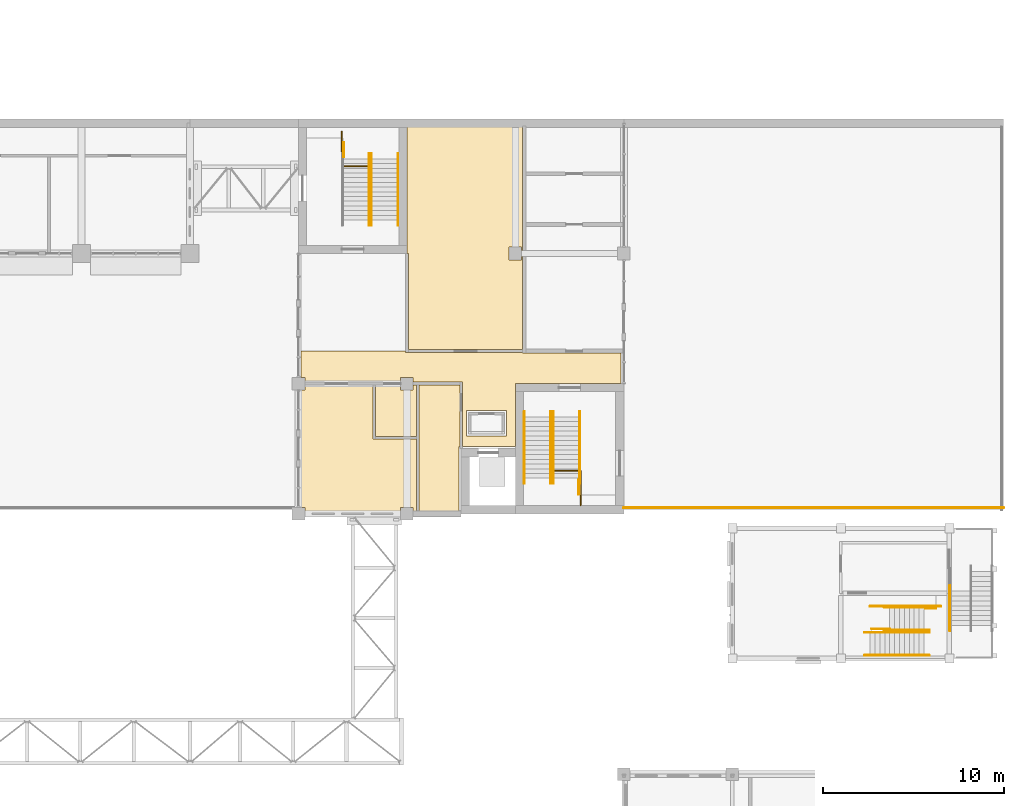
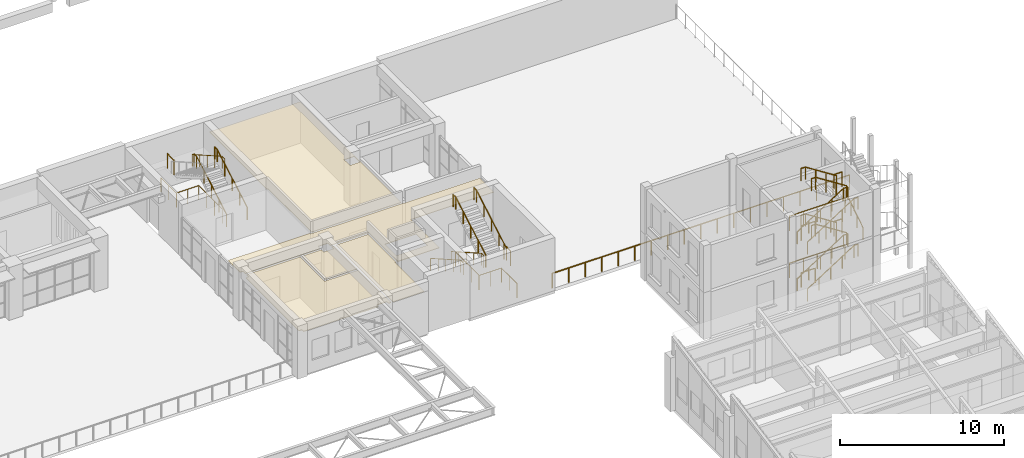
# One storey, part 101 of 103: 27 railings, 5 coverings.
"""IFC4 building model written with IfcOpenShell, lengths in metres."""

from ifc_helpers import new_model, si_unit, direction, frame, origin, origin_2d, place, context, subcontext, project, spatial, polyline, circle, outline, extrude, material, layer, layer_set, type_object, element, save


model = new_model("IFC4")

# Units and contexts
model_context = context("Model", 3, precision=1e-05, world=origin(), true_north=direction((0.0, 1.0)))
body_context = subcontext(model_context, "Body", "Model", "MODEL_VIEW")
ifc_project = project(units=[si_unit("LENGTHUNIT", "METRE"), si_unit("AREAUNIT", "SQUARE_METRE"), si_unit("VOLUMEUNIT", "CUBIC_METRE"), si_unit("PLANEANGLEUNIT", "RADIAN"), si_unit("MASSUNIT", "GRAM", prefix="KILO")], contexts=[model_context])

# Site, building, storey
site_placement = place(None, origin())
site = spatial("IfcSite", under=ifc_project, at=site_placement, CompositionType="ELEMENT")
building_placement = place(site_placement, origin())
building = spatial("IfcBuilding", under=site, at=building_placement, Name="Laocheng Heights Fire and Rescue Headquarters", CompositionType="ELEMENT")
storey_placement = place(building_placement, frame((0.0, 0.0, 4.199951171875)))
storey = spatial("IfcBuildingStorey", under=building, at=storey_placement, Name="L01", CompositionType="ELEMENT", Elevation=4.199951171875)

# Railings
ifc_material_1 = material(Name="Steel Q355B", Category="steel")
railing_type_1 = type_object("IfcRailingType", Name="STAIR GUARD 1100", PredefinedType="GUARDRAIL", material=ifc_material_1)
railing_1_placement = place(storey_placement, frame((105.60498046875, 36.469970703125, 0.0)))
element("IfcRailing", 1, at=railing_1_placement, inside=storey, type_object=railing_type_1, Name="Stair C1 guard L01 under the half landing", PredefinedType="GUARDRAIL", context=body_context, shape_type="SweptSolid", body=[
    extrude(circle(Radius=0.02392578125, at=origin_2d()), frame((0.0, 0.0, 1.076171875), z_axis=(0.0, 1.0, 0.0), x_axis=(-1.0, 0.0, 0.0)), (0.0, 0.0, 1.0), 1.900146484375),
    extrude(circle(Radius=0.02392578125, at=origin_2d()), frame((0.0, 1.900146484375, 1.076171875), z_axis=(-1.0, 0.0, 0.0), x_axis=(0.0, -1.0, 0.0)), (0.0, 0.0, 1.0), 1.580078125),
    extrude(circle(Radius=0.02392578125, at=origin_2d()), frame((-1.580078125, 1.900146484375, 1.076171875), z_axis=(0.0, 1.0, 0.0), x_axis=(-1.0, 0.0, 0.0)), (0.0, 0.0, 1.0), 2.8798828125),
    extrude(circle(Radius=0.02099609375, at=origin_2d()), origin(), (0.0, 0.0, 1.0), 1.052001953125),
    extrude(circle(Radius=0.02099609375, at=origin_2d()), frame((0.0, 0.9501953125, 0.0)), (0.0, 0.0, 1.0), 1.052001953125),
    extrude(circle(Radius=0.02099609375, at=origin_2d()), frame((0.0, 1.900146484375, 0.0)), (0.0, 0.0, 1.0), 1.052001953125),
    extrude(circle(Radius=0.02099609375, at=origin_2d()), frame((-0.7900390625, 1.900146484375, 0.0)), (0.0, 0.0, 1.0), 1.052001953125),
    extrude(circle(Radius=0.02099609375, at=origin_2d()), frame((-1.580078125, 1.900146484375, 0.0)), (0.0, 0.0, 1.0), 1.052001953125),
    extrude(circle(Radius=0.02099609375, at=origin_2d()), frame((-1.580078125, 2.860107421875, 0.0)), (0.0, 0.0, 1.0), 1.052001953125),
    extrude(circle(Radius=0.02099609375, at=origin_2d()), frame((-1.580078125, 3.820068359375, 0.0)), (0.0, 0.0, 1.0), 1.052001953125),
    extrude(circle(Radius=0.02099609375, at=origin_2d()), frame((-1.580078125, 4.780029296875, 0.0)), (0.0, 0.0, 1.0), 1.052001953125),
])
railing_2_placement = place(storey_placement, frame((105.4951171875, 37.070068359375, 2.10009765625)))
element("IfcRailing", 2, at=railing_2_placement, inside=storey, type_object=railing_type_1, Name="Stair C1 guard L01 half landing", PredefinedType="GUARDRAIL", context=body_context, shape_type="SweptSolid", body=[
    extrude(circle(Radius=0.02392578125, at=origin_2d()), frame((0.0, 0.0, 1.076171875), z_axis=(0.0, 1.0, 0.0), x_axis=(-1.0, 0.0, 0.0)), (0.0, 0.0, 1.0), 0.800048828125),
    extrude(circle(Radius=0.02099609375, at=origin_2d()), origin(), (0.0, 0.0, 1.0), 1.052001953125),
    extrude(circle(Radius=0.02099609375, at=origin_2d()), frame((0.0, 0.800048828125, 0.0)), (0.0, 0.0, 1.0), 1.052001953125),
])
railing_3_placement = place(storey_placement, frame((92.39501953125, 57.1298828125, 0.0)))
element("IfcRailing", 3, at=railing_3_placement, inside=storey, type_object=railing_type_1, Name="Stair C2 guard L01 under the half landing", PredefinedType="GUARDRAIL", context=body_context, shape_type="SweptSolid", body=[
    extrude(circle(Radius=0.02392578125, at=origin_2d()), frame((0.0, 0.0, 1.076171875), z_axis=(0.0, -1.0, 0.0), x_axis=(1.0, 0.0, 0.0)), (0.0, 0.0, 1.0), 1.900146484375),
    extrude(circle(Radius=0.02392578125, at=origin_2d()), frame((0.0, -1.900146484375, 1.076171875), z_axis=(1.0, 0.0, 0.0), x_axis=(0.0, 1.0, 0.0)), (0.0, 0.0, 1.0), 1.580078125),
    extrude(circle(Radius=0.02392578125, at=origin_2d()), frame((1.580078125, -1.900146484375, 1.076171875), z_axis=(0.0, -1.0, 0.0), x_axis=(1.0, 0.0, 0.0)), (0.0, 0.0, 1.0), 2.879638671875),
    extrude(circle(Radius=0.02099609375, at=origin_2d()), origin(), (0.0, 0.0, 1.0), 1.052001953125),
    extrude(circle(Radius=0.02099609375, at=origin_2d()), frame((0.0, -0.9501953125, 0.0)), (0.0, 0.0, 1.0), 1.052001953125),
    extrude(circle(Radius=0.02099609375, at=origin_2d()), frame((0.0, -1.900146484375, 0.0)), (0.0, 0.0, 1.0), 1.052001953125),
    extrude(circle(Radius=0.02099609375, at=origin_2d()), frame((0.7900390625, -1.900146484375, 0.0)), (0.0, 0.0, 1.0), 1.052001953125),
    extrude(circle(Radius=0.02099609375, at=origin_2d()), frame((1.580078125, -1.900146484375, 0.0)), (0.0, 0.0, 1.0), 1.052001953125),
    extrude(circle(Radius=0.02099609375, at=origin_2d()), frame((1.580078125, -2.860107421875, 0.0)), (0.0, 0.0, 1.0), 1.052001953125),
    extrude(circle(Radius=0.02099609375, at=origin_2d()), frame((1.580078125, -3.81982421875, 0.0)), (0.0, 0.0, 1.0), 1.052001953125),
    extrude(circle(Radius=0.02099609375, at=origin_2d()), frame((1.580078125, -4.77978515625, 0.0)), (0.0, 0.0, 1.0), 1.052001953125),
])
railing_4_placement = place(storey_placement, frame((92.5048828125, 56.530029296875, 2.10009765625)))
element("IfcRailing", 4, at=railing_4_placement, inside=storey, type_object=railing_type_1, Name="Stair C2 guard L01 half landing", PredefinedType="GUARDRAIL", context=body_context, shape_type="SweptSolid", body=[
    extrude(circle(Radius=0.02392578125, at=origin_2d()), frame((0.0, 0.0, 1.076171875), z_axis=(0.0, -1.0, 0.0), x_axis=(1.0, 0.0, 0.0)), (0.0, 0.0, 1.0), 0.800048828125),
    extrude(circle(Radius=0.02099609375, at=origin_2d()), origin(), (0.0, 0.0, 1.0), 1.052001953125),
    extrude(circle(Radius=0.02099609375, at=origin_2d()), frame((0.0, -0.800048828125, 0.0)), (0.0, 0.0, 1.0), 1.052001953125),
])
railing_5_placement = place(storey_placement, frame((122.705078125, 29.6298828125, -0.699951171875)))
element("IfcRailing", 5, at=railing_5_placement, inside=storey, type_object=railing_type_1, Name="Stair T1 guard F2 well edge", PredefinedType="GUARDRAIL", context=body_context, shape_type="SweptSolid", body=[
    extrude(circle(Radius=0.02392578125, at=origin_2d()), frame((0.0, 0.0, 1.076171875), z_axis=(-1.0, 0.0, 0.0), x_axis=(0.0, -1.0, 0.0)), (0.0, 0.0, 1.0), 0.988037109375),
    extrude(circle(Radius=0.02099609375, at=origin_2d()), origin(), (0.0, 0.0, 1.0), 1.052001953125),
    extrude(circle(Radius=0.02099609375, at=origin_2d()), frame((-0.988037109375, 0.0, 0.0)), (0.0, 0.0, 1.0), 1.052001953125),
])
railing_6_placement = place(storey_placement, frame((125.530029296875, 30.8798828125, -0.699951171875)))
element("IfcRailing", 6, at=railing_6_placement, inside=storey, type_object=railing_type_1, Name="Stair T1 guard F2 strip edge", PredefinedType="GUARDRAIL", context=body_context, shape_type="SweptSolid", body=[
    extrude(circle(Radius=0.02392578125, at=origin_2d()), frame((0.0, 0.0, 1.076171875), z_axis=(-1.0, 0.0, 0.0), x_axis=(0.0, -1.0, 0.0)), (0.0, 0.0, 1.0), 3.905029296875),
    extrude(circle(Radius=0.02099609375, at=origin_2d()), origin(), (0.0, 0.0, 1.0), 1.052001953125),
    extrude(circle(Radius=0.02099609375, at=origin_2d()), frame((-0.976318359375, 0.0, 0.0)), (0.0, 0.0, 1.0), 1.052001953125),
    extrude(circle(Radius=0.02099609375, at=origin_2d()), frame((-1.95263671875, 0.0, 0.0)), (0.0, 0.0, 1.0), 1.052001953125),
    extrude(circle(Radius=0.02099609375, at=origin_2d()), frame((-2.9287109375, 0.0, 0.0)), (0.0, 0.0, 1.0), 1.052001953125),
    extrude(circle(Radius=0.02099609375, at=origin_2d()), frame((-3.905029296875, 0.0, 0.0)), (0.0, 0.0, 1.0), 1.052001953125),
])
railing_7_placement = place(storey_placement, frame((125.2548828125, 30.77001953125, 1.400146484375)))
element("IfcRailing", 7, at=railing_7_placement, inside=storey, type_object=railing_type_1, Name="Stair T1 guard F2 half landing", PredefinedType="GUARDRAIL", context=body_context, shape_type="SweptSolid", body=[
    extrude(circle(Radius=0.02392578125, at=origin_2d()), frame((0.0, 0.0, 1.076171875), z_axis=(-1.0, 0.0, 0.0), x_axis=(0.0, -1.0, 0.0)), (0.0, 0.0, 1.0), 0.559814453125),
    extrude(circle(Radius=0.02099609375, at=origin_2d()), origin(), (0.0, 0.0, 1.0), 1.052001953125),
    extrude(circle(Radius=0.02099609375, at=origin_2d()), frame((-0.559814453125, 0.0, 0.0)), (0.0, 0.0, 1.0), 1.052001953125),
])
railing_8_placement = place(storey_placement, frame((122.705078125, 29.6298828125, 2.800048828125)))
element("IfcRailing", 8, at=railing_8_placement, inside=storey, type_object=railing_type_1, Name="Stair T1 guard F3 well edge", PredefinedType="GUARDRAIL", context=body_context, shape_type="SweptSolid", body=[
    extrude(circle(Radius=0.02392578125, at=origin_2d()), frame((0.0, 0.0, 1.076171875), z_axis=(-1.0, 0.0, 0.0), x_axis=(0.0, -1.0, 0.0)), (0.0, 0.0, 1.0), 0.988037109375),
    extrude(circle(Radius=0.02099609375, at=origin_2d()), origin(), (0.0, 0.0, 1.0), 1.052001953125),
    extrude(circle(Radius=0.02099609375, at=origin_2d()), frame((-0.988037109375, 0.0, 0.0)), (0.0, 0.0, 1.0), 1.052001953125),
])
railing_9_placement = place(storey_placement, frame((125.530029296875, 30.8798828125, 2.800048828125)))
element("IfcRailing", 9, at=railing_9_placement, inside=storey, type_object=railing_type_1, Name="Stair T1 guard F3 strip edge", PredefinedType="GUARDRAIL", context=body_context, shape_type="SweptSolid", body=[
    extrude(circle(Radius=0.02392578125, at=origin_2d()), frame((0.0, 0.0, 1.076171875), z_axis=(-1.0, 0.0, 0.0), x_axis=(0.0, -1.0, 0.0)), (0.0, 0.0, 1.0), 3.905029296875),
    extrude(circle(Radius=0.02099609375, at=origin_2d()), origin(), (0.0, 0.0, 1.0), 1.052001953125),
    extrude(circle(Radius=0.02099609375, at=origin_2d()), frame((-0.976318359375, 0.0, 0.0)), (0.0, 0.0, 1.0), 1.052001953125),
    extrude(circle(Radius=0.02099609375, at=origin_2d()), frame((-1.95263671875, 0.0, 0.0)), (0.0, 0.0, 1.0), 1.052001953125),
    extrude(circle(Radius=0.02099609375, at=origin_2d()), frame((-2.9287109375, 0.0, 0.0)), (0.0, 0.0, 1.0), 1.052001953125),
    extrude(circle(Radius=0.02099609375, at=origin_2d()), frame((-3.905029296875, 0.0, 0.0)), (0.0, 0.0, 1.0), 1.052001953125),
])
railing_10_placement = place(storey_placement, frame((125.2548828125, 30.77001953125, 4.900146484375)))
element("IfcRailing", 10, at=railing_10_placement, inside=storey, type_object=railing_type_1, Name="Stair T1 guard F3 half landing", PredefinedType="GUARDRAIL", context=body_context, shape_type="SweptSolid", body=[
    extrude(circle(Radius=0.02392578125, at=origin_2d()), frame((0.0, 0.0, 1.076171875), z_axis=(-1.0, 0.0, 0.0), x_axis=(0.0, -1.0, 0.0)), (0.0, 0.0, 1.0), 0.559814453125),
    extrude(circle(Radius=0.02099609375, at=origin_2d()), origin(), (0.0, 0.0, 1.0), 1.052001953125),
    extrude(circle(Radius=0.02099609375, at=origin_2d()), frame((-0.559814453125, 0.0, 0.0)), (0.0, 0.0, 1.0), 1.052001953125),
])
ifc_material_2 = material(Name="Steel Q355B", Category="steel")
railing_type_2 = type_object("IfcRailingType", Name="STAIR HANDRAIL 920", PredefinedType="HANDRAIL", material=ifc_material_2)
for number, where, name in (
    (11, (102.4951171875, 41.64990234375, 0.0), "Stair C1 handrail L01 1"),
    (12, (103.955078125, 41.64990234375, 0.0), "Stair C1 handrail L01 2"),
):
    element("IfcRailing", number, at=place(storey_placement, frame(where)), inside=storey, type_object=railing_type_2, Name=name, PredefinedType="HANDRAIL", context=body_context, shape_type="SweptSolid", body=[
        extrude(circle(Radius=0.02392578125, at=origin_2d()), frame((0.0, 0.0, 0.89599609375), z_axis=(0.0, -0.868519587458, 0.495654845838), x_axis=(1.0, 0.0, 0.0)), (0.0, 0.0, 1.0), 4.237060546875),
        extrude(circle(Radius=0.02392578125, at=origin_2d()), frame((0.0, -3.679931640625, 2.99609375), z_axis=(0.0, -1.0, 0.0), x_axis=(1.0, 0.0, 0.0)), (0.0, 0.0, 1.0), 0.300048828125),
        extrude(circle(Radius=0.02099609375, at=origin_2d()), origin(), (0.0, 0.0, 1.0), 0.871826171875),
        extrude(circle(Radius=0.02099609375, at=origin_2d()), frame((0.0, -0.919921875, 0.52490234375)), (0.0, 0.0, 1.0), 0.871826171875),
        extrude(circle(Radius=0.02099609375, at=origin_2d()), frame((0.0, -1.83984375, 1.050048828125)), (0.0, 0.0, 1.0), 0.871826171875),
        extrude(circle(Radius=0.02099609375, at=origin_2d()), frame((0.0, -2.760009765625, 1.5751953125)), (0.0, 0.0, 1.0), 0.871826171875),
        extrude(circle(Radius=0.02099609375, at=origin_2d()), frame((0.0, -3.679931640625, 2.10009765625)), (0.0, 0.0, 1.0), 0.871826171875),
        extrude(circle(Radius=0.02099609375, at=origin_2d()), frame((0.0, -3.97998046875, 2.10009765625)), (0.0, 0.0, 1.0), 0.871826171875),
    ])
for number, where, name in (
    (13, (104.094970703125, 37.669921875, 2.10009765625), "Stair C1 handrail L01 3"),
    (14, (105.554931640625, 37.669921875, 2.10009765625), "Stair C1 handrail L01 4"),
):
    element("IfcRailing", number, at=place(storey_placement, frame(where)), inside=storey, type_object=railing_type_2, Name=name, PredefinedType="HANDRAIL", context=body_context, shape_type="SweptSolid", body=[
        extrude(circle(Radius=0.02392578125, at=origin_2d()), frame((0.0, 0.0, 0.89599609375), z_axis=(0.0, 0.868558544855, 0.495586575846), x_axis=(-1.0, 0.0, 0.0)), (0.0, 0.0, 1.0), 4.237060546875),
        extrude(circle(Radius=0.02392578125, at=origin_2d()), frame((0.0, 3.68017578125, 2.99560546875), z_axis=(0.0, 1.0, 0.0), x_axis=(-1.0, 0.0, 0.0)), (0.0, 0.0, 1.0), 0.2998046875),
        extrude(circle(Radius=0.02099609375, at=origin_2d()), origin(), (0.0, 0.0, 1.0), 0.871826171875),
        extrude(circle(Radius=0.02099609375, at=origin_2d()), frame((0.0, 0.919921875, 0.52490234375)), (0.0, 0.0, 1.0), 0.871826171875),
        extrude(circle(Radius=0.02099609375, at=origin_2d()), frame((0.0, 1.840087890625, 1.0498046875)), (0.0, 0.0, 1.0), 0.871826171875),
        extrude(circle(Radius=0.02099609375, at=origin_2d()), frame((0.0, 2.76025390625, 1.574951171875)), (0.0, 0.0, 1.0), 0.871826171875),
        extrude(circle(Radius=0.02099609375, at=origin_2d()), frame((0.0, 3.68017578125, 2.099853515625)), (0.0, 0.0, 1.0), 0.871826171875),
        extrude(circle(Radius=0.02099609375, at=origin_2d()), frame((0.0, 3.97998046875, 2.099853515625)), (0.0, 0.0, 1.0), 0.871826171875),
    ])
for number, where, name in (
    (15, (95.5048828125, 51.949951171875, 0.0), "Stair C2 handrail L01 1"),
    (16, (94.044921875, 51.949951171875, 0.0), "Stair C2 handrail L01 2"),
):
    element("IfcRailing", number, at=place(storey_placement, frame(where)), inside=storey, type_object=railing_type_2, Name=name, PredefinedType="HANDRAIL", context=body_context, shape_type="SweptSolid", body=[
        extrude(circle(Radius=0.02392578125, at=origin_2d()), frame((0.0, 0.0, 0.89599609375), z_axis=(0.0, 0.868519587458, 0.495654845838), x_axis=(-1.0, 0.0, 0.0)), (0.0, 0.0, 1.0), 4.237060546875),
        extrude(circle(Radius=0.02392578125, at=origin_2d()), frame((0.0, 3.679931640625, 2.99609375), z_axis=(0.0, 1.0, 0.0), x_axis=(-1.0, 0.0, 0.0)), (0.0, 0.0, 1.0), 0.300048828125),
        extrude(circle(Radius=0.02099609375, at=origin_2d()), origin(), (0.0, 0.0, 1.0), 0.871826171875),
        extrude(circle(Radius=0.02099609375, at=origin_2d()), frame((0.0, 0.919921875, 0.52490234375)), (0.0, 0.0, 1.0), 0.871826171875),
        extrude(circle(Radius=0.02099609375, at=origin_2d()), frame((0.0, 1.83984375, 1.050048828125)), (0.0, 0.0, 1.0), 0.871826171875),
        extrude(circle(Radius=0.02099609375, at=origin_2d()), frame((0.0, 2.760009765625, 1.5751953125)), (0.0, 0.0, 1.0), 0.871826171875),
        extrude(circle(Radius=0.02099609375, at=origin_2d()), frame((0.0, 3.679931640625, 2.10009765625)), (0.0, 0.0, 1.0), 0.871826171875),
        extrude(circle(Radius=0.02099609375, at=origin_2d()), frame((0.0, 3.97998046875, 2.10009765625)), (0.0, 0.0, 1.0), 0.871826171875),
    ])
railing_11_placement = place(storey_placement, frame((93.905029296875, 55.929931640625, 2.10009765625)))
element("IfcRailing", 17, at=railing_11_placement, inside=storey, type_object=railing_type_2, Name="Stair C2 handrail L01 3", PredefinedType="HANDRAIL", context=body_context, shape_type="SweptSolid", body=[
    extrude(circle(Radius=0.02392578125, at=origin_2d()), frame((0.0, 0.0, 0.89599609375), z_axis=(0.0, -0.868544392059, 0.495611379029), x_axis=(1.0, 0.0, 0.0)), (0.0, 0.0, 1.0), 4.23681640625),
    extrude(circle(Radius=0.02392578125, at=origin_2d()), frame((0.0, -3.679931640625, 2.99560546875), z_axis=(0.0, -1.0, 0.0), x_axis=(1.0, 0.0, 0.0)), (0.0, 0.0, 1.0), 0.300048828125),
    extrude(circle(Radius=0.02099609375, at=origin_2d()), origin(), (0.0, 0.0, 1.0), 0.871826171875),
    extrude(circle(Radius=0.02099609375, at=origin_2d()), frame((0.0, -0.919921875, 0.52490234375)), (0.0, 0.0, 1.0), 0.871826171875),
    extrude(circle(Radius=0.02099609375, at=origin_2d()), frame((0.0, -1.83984375, 1.0498046875)), (0.0, 0.0, 1.0), 0.871826171875),
    extrude(circle(Radius=0.02099609375, at=origin_2d()), frame((0.0, -2.760009765625, 1.574951171875)), (0.0, 0.0, 1.0), 0.871826171875),
    extrude(circle(Radius=0.02099609375, at=origin_2d()), frame((0.0, -3.679931640625, 2.099853515625)), (0.0, 0.0, 1.0), 0.871826171875),
    extrude(circle(Radius=0.02099609375, at=origin_2d()), frame((0.0, -3.97998046875, 2.099853515625)), (0.0, 0.0, 1.0), 0.871826171875),
])
for number, where, name in (
    (18, (121.324951171875, 28.169921875, -0.699951171875), "Stair T1 handrail F2 1"),
    (19, (121.324951171875, 29.429931640625, -0.699951171875), "Stair T1 handrail F2 2"),
):
    element("IfcRailing", number, at=place(storey_placement, frame(where)), inside=storey, type_object=railing_type_2, Name=name, PredefinedType="HANDRAIL", context=body_context, shape_type="SweptSolid", body=[
        extrude(circle(Radius=0.02392578125, at=origin_2d()), frame((0.0, 0.0, 0.89599609375), z_axis=(0.841419242076, 0.0, 0.540382881913), x_axis=(0.0, 1.0, 0.0)), (0.0, 0.0, 1.0), 3.88623046875),
        extrude(circle(Radius=0.02392578125, at=origin_2d()), frame((3.27001953125, 0.0, 2.99609375), z_axis=(1.0, 0.0, 0.0), x_axis=(0.0, 1.0, 0.0)), (0.0, 0.0, 1.0), 0.300048828125),
        extrude(circle(Radius=0.02099609375, at=origin_2d()), origin(), (0.0, 0.0, 1.0), 0.871826171875),
        extrude(circle(Radius=0.02099609375, at=origin_2d()), frame((0.8173828125, 0.0, 0.52490234375)), (0.0, 0.0, 1.0), 0.871826171875),
        extrude(circle(Radius=0.02099609375, at=origin_2d()), frame((1.635009765625, 0.0, 1.050048828125)), (0.0, 0.0, 1.0), 0.871826171875),
        extrude(circle(Radius=0.02099609375, at=origin_2d()), frame((2.45263671875, 0.0, 1.5751953125)), (0.0, 0.0, 1.0), 0.871826171875),
        extrude(circle(Radius=0.02099609375, at=origin_2d()), frame((3.27001953125, 0.0, 2.10009765625)), (0.0, 0.0, 1.0), 0.871826171875),
        extrude(circle(Radius=0.02099609375, at=origin_2d()), frame((3.570068359375, 0.0, 2.10009765625)), (0.0, 0.0, 1.0), 0.871826171875),
    ])
for number, where, name in (
    (20, (124.89501953125, 29.570068359375, 1.400146484375), "Stair T1 handrail F2 3"),
    (21, (124.89501953125, 30.830078125, 1.400146484375), "Stair T1 handrail F2 4"),
):
    element("IfcRailing", number, at=place(storey_placement, frame(where)), inside=storey, type_object=railing_type_2, Name=name, PredefinedType="HANDRAIL", context=body_context, shape_type="SweptSolid", body=[
        extrude(circle(Radius=0.02392578125, at=origin_2d()), frame((0.0, 0.0, 0.89599609375), z_axis=(-0.842561281479, 0.0, 0.538600489186), x_axis=(0.0, -1.0, 0.0)), (0.0, 0.0, 1.0), 2.59912109375),
        extrude(circle(Radius=0.02392578125, at=origin_2d()), frame((-2.18994140625, 0.0, 2.2958984375), z_axis=(-1.0, 0.0, 0.0), x_axis=(0.0, -1.0, 0.0)), (0.0, 0.0, 1.0), 0.300048828125),
        extrude(circle(Radius=0.02099609375, at=origin_2d()), origin(), (0.0, 0.0, 1.0), 0.871826171875),
        extrude(circle(Radius=0.02099609375, at=origin_2d()), frame((-0.72998046875, 0.0, 0.466552734375)), (0.0, 0.0, 1.0), 0.871826171875),
        extrude(circle(Radius=0.02099609375, at=origin_2d()), frame((-1.4599609375, 0.0, 0.933349609375)), (0.0, 0.0, 1.0), 0.871826171875),
        extrude(circle(Radius=0.02099609375, at=origin_2d()), frame((-2.18994140625, 0.0, 1.39990234375)), (0.0, 0.0, 1.0), 0.871826171875),
        extrude(circle(Radius=0.02099609375, at=origin_2d()), frame((-2.489990234375, 0.0, 1.39990234375)), (0.0, 0.0, 1.0), 0.871826171875),
    ])
for number, where, name in (
    (22, (121.324951171875, 28.169921875, 2.800048828125), "Stair T1 handrail F3 1"),
    (23, (121.324951171875, 29.429931640625, 2.800048828125), "Stair T1 handrail F3 2"),
):
    element("IfcRailing", number, at=place(storey_placement, frame(where)), inside=storey, type_object=railing_type_2, Name=name, PredefinedType="HANDRAIL", context=body_context, shape_type="SweptSolid", body=[
        extrude(circle(Radius=0.02392578125, at=origin_2d()), frame((0.0, 0.0, 0.89599609375), z_axis=(0.841419242076, 0.0, 0.540382881913), x_axis=(0.0, 1.0, 0.0)), (0.0, 0.0, 1.0), 3.88623046875),
        extrude(circle(Radius=0.02392578125, at=origin_2d()), frame((3.27001953125, 0.0, 2.99609375), z_axis=(1.0, 0.0, 0.0), x_axis=(0.0, 1.0, 0.0)), (0.0, 0.0, 1.0), 0.300048828125),
        extrude(circle(Radius=0.02099609375, at=origin_2d()), origin(), (0.0, 0.0, 1.0), 0.871826171875),
        extrude(circle(Radius=0.02099609375, at=origin_2d()), frame((0.8173828125, 0.0, 0.52490234375)), (0.0, 0.0, 1.0), 0.871826171875),
        extrude(circle(Radius=0.02099609375, at=origin_2d()), frame((1.635009765625, 0.0, 1.050048828125)), (0.0, 0.0, 1.0), 0.871826171875),
        extrude(circle(Radius=0.02099609375, at=origin_2d()), frame((2.45263671875, 0.0, 1.5751953125)), (0.0, 0.0, 1.0), 0.871826171875),
        extrude(circle(Radius=0.02099609375, at=origin_2d()), frame((3.27001953125, 0.0, 2.10009765625)), (0.0, 0.0, 1.0), 0.871826171875),
        extrude(circle(Radius=0.02099609375, at=origin_2d()), frame((3.570068359375, 0.0, 2.10009765625)), (0.0, 0.0, 1.0), 0.871826171875),
    ])
for number, where, name in (
    (24, (124.89501953125, 29.570068359375, 4.900146484375), "Stair T1 handrail F3 3"),
    (25, (124.89501953125, 30.830078125, 4.900146484375), "Stair T1 handrail F3 4"),
):
    element("IfcRailing", number, at=place(storey_placement, frame(where)), inside=storey, type_object=railing_type_2, Name=name, PredefinedType="HANDRAIL", context=body_context, shape_type="SweptSolid", body=[
        extrude(circle(Radius=0.02392578125, at=origin_2d()), frame((0.0, 0.0, 0.89599609375), z_axis=(-0.842561281479, 0.0, 0.538600489186), x_axis=(0.0, -1.0, 0.0)), (0.0, 0.0, 1.0), 2.59912109375),
        extrude(circle(Radius=0.02392578125, at=origin_2d()), frame((-2.18994140625, 0.0, 2.2958984375), z_axis=(-1.0, 0.0, 0.0), x_axis=(0.0, -1.0, 0.0)), (0.0, 0.0, 1.0), 0.300048828125),
        extrude(circle(Radius=0.02099609375, at=origin_2d()), origin(), (0.0, 0.0, 1.0), 0.871826171875),
        extrude(circle(Radius=0.02099609375, at=origin_2d()), frame((-0.72998046875, 0.0, 0.466552734375)), (0.0, 0.0, 1.0), 0.871826171875),
        extrude(circle(Radius=0.02099609375, at=origin_2d()), frame((-1.4599609375, 0.0, 0.933349609375)), (0.0, 0.0, 1.0), 0.871826171875),
        extrude(circle(Radius=0.02099609375, at=origin_2d()), frame((-2.18994140625, 0.0, 1.39990234375)), (0.0, 0.0, 1.0), 0.871826171875),
        extrude(circle(Radius=0.02099609375, at=origin_2d()), frame((-2.489990234375, 0.0, 1.39990234375)), (0.0, 0.0, 1.0), 0.871826171875),
    ])
railing_12_placement = place(storey_placement, frame((126.030029296875, 29.530029296875, 1.400146484375)))
element("IfcRailing", 26, at=railing_12_placement, inside=storey, type_object=railing_type_2, Name="Stair T2 handrail F2 4", PredefinedType="HANDRAIL", context=body_context, shape_type="SweptSolid", body=[
    extrude(circle(Radius=0.02392578125, at=origin_2d()), frame((0.0, 0.0, 0.89599609375), z_axis=(0.0, 0.842561281479, 0.538600489186), x_axis=(-1.0, 0.0, 0.0)), (0.0, 0.0, 1.0), 2.59912109375),
    extrude(circle(Radius=0.02392578125, at=origin_2d()), frame((0.0, 2.18994140625, 2.2958984375), z_axis=(0.0, 1.0, 0.0), x_axis=(-1.0, 0.0, 0.0)), (0.0, 0.0, 1.0), 0.300048828125),
    extrude(circle(Radius=0.02099609375, at=origin_2d()), origin(), (0.0, 0.0, 1.0), 0.871826171875),
    extrude(circle(Radius=0.02099609375, at=origin_2d()), frame((0.0, 0.72998046875, 0.466552734375)), (0.0, 0.0, 1.0), 0.871826171875),
    extrude(circle(Radius=0.02099609375, at=origin_2d()), frame((0.0, 1.4599609375, 0.933349609375)), (0.0, 0.0, 1.0), 0.871826171875),
    extrude(circle(Radius=0.02099609375, at=origin_2d()), frame((0.0, 2.18994140625, 1.39990234375)), (0.0, 0.0, 1.0), 0.871826171875),
    extrude(circle(Radius=0.02099609375, at=origin_2d()), frame((0.0, 2.489990234375, 1.39990234375)), (0.0, 0.0, 1.0), 0.871826171875),
])
ifc_material_3 = material(Name="Steel Q355B", Category="steel")
railing_type_3 = type_object("IfcRailingType", Name="STEEL GUARDRAIL 1100 TERRACE EDGE", PredefinedType="GUARDRAIL", material=ifc_material_3)
railing_13_placement = place(storey_placement, frame((108.0, 36.324951171875, 0.0)))
element("IfcRailing", 27, at=railing_13_placement, inside=storey, type_object=railing_type_3, Name="Guard on top of RW1 108 to 129", PredefinedType="GUARDRAIL", context=body_context, shape_type="SweptSolid", body=[
    extrude(circle(Radius=0.02490234375, at=origin_2d()), frame((0.0, 0.0, 1.0751953125), z_axis=(1.0, 0.0, 0.0), x_axis=(0.0, 1.0, 0.0)), (0.0, 0.0, 1.0), 21.0),
    extrude(circle(Radius=0.02490234375, at=origin_2d()), origin(), (0.0, 0.0, 1.0), 1.050048828125),
    extrude(circle(Radius=0.02490234375, at=origin_2d()), frame((1.166748046875, 0.0, 0.0)), (0.0, 0.0, 1.0), 1.050048828125),
    extrude(circle(Radius=0.02490234375, at=origin_2d()), frame((2.333251953125, 0.0, 0.0)), (0.0, 0.0, 1.0), 1.050048828125),
    extrude(circle(Radius=0.02490234375, at=origin_2d()), frame((3.5, 0.0, 0.0)), (0.0, 0.0, 1.0), 1.050048828125),
    extrude(circle(Radius=0.02490234375, at=origin_2d()), frame((4.666748046875, 0.0, 0.0)), (0.0, 0.0, 1.0), 1.050048828125),
    extrude(circle(Radius=0.02490234375, at=origin_2d()), frame((5.833251953125, 0.0, 0.0)), (0.0, 0.0, 1.0), 1.050048828125),
    extrude(circle(Radius=0.02490234375, at=origin_2d()), frame((7.0, 0.0, 0.0)), (0.0, 0.0, 1.0), 1.050048828125),
    extrude(circle(Radius=0.02490234375, at=origin_2d()), frame((8.166748046875, 0.0, 0.0)), (0.0, 0.0, 1.0), 1.050048828125),
    extrude(circle(Radius=0.02490234375, at=origin_2d()), frame((9.333251953125, 0.0, 0.0)), (0.0, 0.0, 1.0), 1.050048828125),
    extrude(circle(Radius=0.02490234375, at=origin_2d()), frame((10.5, 0.0, 0.0)), (0.0, 0.0, 1.0), 1.050048828125),
    extrude(circle(Radius=0.02490234375, at=origin_2d()), frame((11.666748046875, 0.0, 0.0)), (0.0, 0.0, 1.0), 1.050048828125),
    extrude(circle(Radius=0.02490234375, at=origin_2d()), frame((12.833251953125, 0.0, 0.0)), (0.0, 0.0, 1.0), 1.050048828125),
    extrude(circle(Radius=0.02490234375, at=origin_2d()), frame((14.0, 0.0, 0.0)), (0.0, 0.0, 1.0), 1.050048828125),
    extrude(circle(Radius=0.02490234375, at=origin_2d()), frame((15.166748046875, 0.0, 0.0)), (0.0, 0.0, 1.0), 1.050048828125),
    extrude(circle(Radius=0.02490234375, at=origin_2d()), frame((16.333251953125, 0.0, 0.0)), (0.0, 0.0, 1.0), 1.050048828125),
    extrude(circle(Radius=0.02490234375, at=origin_2d()), frame((17.5, 0.0, 0.0)), (0.0, 0.0, 1.0), 1.050048828125),
    extrude(circle(Radius=0.02490234375, at=origin_2d()), frame((18.666748046875, 0.0, 0.0)), (0.0, 0.0, 1.0), 1.050048828125),
    extrude(circle(Radius=0.02490234375, at=origin_2d()), frame((19.833251953125, 0.0, 0.0)), (0.0, 0.0, 1.0), 1.050048828125),
    extrude(circle(Radius=0.02490234375, at=origin_2d()), frame((21.0, 0.0, 0.0)), (0.0, 0.0, 1.0), 1.050048828125),
])

# Coverings
ifc_material_4 = material(Name="Mineral fibre ceiling tile")
ifc_layer = layer(ifc_material_4, 0.0400390625)
ifc_layer_set = layer_set([ifc_layer], Name="Mineral fibre ceiling tile")
covering_type = type_object("IfcCoveringType", Name="SUSPENDED CEILING MINERAL FIBRE TILE CREW WING", PredefinedType="CEILING", material=ifc_layer_set)
covering_1_placement = place(storey_placement, frame((0.0, 0.0, 3.0)))
element("IfcCovering", 28, at=covering_1_placement, inside=storey, type_object=covering_type, Name="Circulation ceiling", PredefinedType="CEILING", context=body_context, shape_type="SweptSolid", body=[
    extrude(outline(polyline([(95.925048828125, 44.925048828125), (96.074951171875, 44.925048828125), (102.39990234375, 44.925048828125), (102.39990234375, 44.89990234375), (102.60009765625, 44.89990234375), (107.85009765625, 44.89990234375), (107.85009765625, 43.199951171875), (102.0, 43.199951171875), (102.0, 39.72509765625), (101.875, 39.72509765625), (99.125, 39.72509765625), (99.074951171875, 39.72509765625), (99.074951171875, 43.27490234375), (98.925048828125, 43.27490234375), (96.35009765625, 43.27490234375), (96.35009765625, 43.550048828125), (95.64990234375, 43.550048828125), (95.64990234375, 43.27490234375), (90.35009765625, 43.27490234375), (90.35009765625, 43.550048828125), (90.14990234375, 43.550048828125), (90.14990234375, 45.0), (95.925048828125, 45.0), (95.925048828125, 44.925048828125)]), holes=[polyline([(101.300048828125, 40.300048828125), (101.5, 40.300048828125), (101.5, 40.5), (101.5, 41.5), (101.5, 41.699951171875), (101.300048828125, 41.699951171875), (99.5, 41.699951171875), (99.300048828125, 41.699951171875), (99.300048828125, 41.5), (99.300048828125, 40.5), (99.300048828125, 40.300048828125), (99.5, 40.300048828125), (101.300048828125, 40.300048828125)])]), origin(), (0.0, 0.0, 1.0), 0.0400390625),
])
covering_2_placement = place(storey_placement, frame((0.0, 0.0, 3.0)))
element("IfcCovering", 29, at=covering_2_placement, inside=storey, type_object=covering_type, Name="Day Room ceiling", PredefinedType="CEILING", context=body_context, shape_type="SweptSolid", body=[
    extrude(outline(polyline([(96.35009765625, 36.14990234375), (96.35009765625, 36.35009765625), (95.64990234375, 36.35009765625), (95.64990234375, 36.14990234375), (90.35009765625, 36.14990234375), (90.35009765625, 36.35009765625), (90.14990234375, 36.35009765625), (90.14990234375, 42.85009765625), (90.35009765625, 42.85009765625), (90.35009765625, 43.125), (94.125, 43.125), (94.125, 40.125), (94.27490234375, 40.125), (96.52490234375, 40.125), (96.52490234375, 36.14990234375), (96.35009765625, 36.14990234375)])), origin(), (0.0, 0.0, 1.0), 0.0400390625),
])
covering_3_placement = place(storey_placement, frame((0.0, 0.0, 3.0)))
element("IfcCovering", 30, at=covering_3_placement, inside=storey, type_object=covering_type, Name="Accessible WC ceiling", PredefinedType="CEILING", context=body_context, shape_type="SweptSolid", body=[
    extrude(outline(polyline([(96.52490234375, 40.27490234375), (94.27490234375, 40.27490234375), (94.27490234375, 43.125), (95.64990234375, 43.125), (95.64990234375, 42.85009765625), (96.35009765625, 42.85009765625), (96.35009765625, 43.125), (96.52490234375, 43.125), (96.52490234375, 40.27490234375)])), origin(), (0.0, 0.0, 1.0), 0.0400390625),
])
covering_4_placement = place(storey_placement, frame((0.0, 0.0, 3.0)))
element("IfcCovering", 31, at=covering_4_placement, inside=storey, type_object=covering_type, Name="Toilets ceiling", PredefinedType="CEILING", context=body_context, shape_type="SweptSolid", body=[
    extrude(outline(polyline([(96.675048828125, 36.14990234375), (96.675048828125, 43.125), (98.925048828125, 43.125), (98.925048828125, 39.72509765625), (98.875, 39.72509765625), (98.875, 39.47509765625), (98.875, 36.14990234375), (96.675048828125, 36.14990234375)])), origin(), (0.0, 0.0, 1.0), 0.0400390625),
])
covering_5_placement = place(storey_placement, frame((0.0, 0.0, 3.0)))
element("IfcCovering", 32, at=covering_5_placement, inside=storey, type_object=covering_type, Name="Crew Mess ceiling", PredefinedType="CEILING", context=body_context, shape_type="SweptSolid", body=[
    extrude(outline(polyline([(102.39990234375, 57.449951171875), (102.39990234375, 45.074951171875), (96.074951171875, 45.074951171875), (96.074951171875, 50.39990234375), (96.0, 50.39990234375), (96.0, 57.449951171875), (102.39990234375, 57.449951171875)]), holes=[polyline([(101.64990234375, 50.75), (101.64990234375, 50.050048828125), (102.35009765625, 50.050048828125), (102.35009765625, 50.75), (101.64990234375, 50.75)])]), origin(), (0.0, 0.0, 1.0), 0.0400390625),
])

save(model, "model.ifc")
